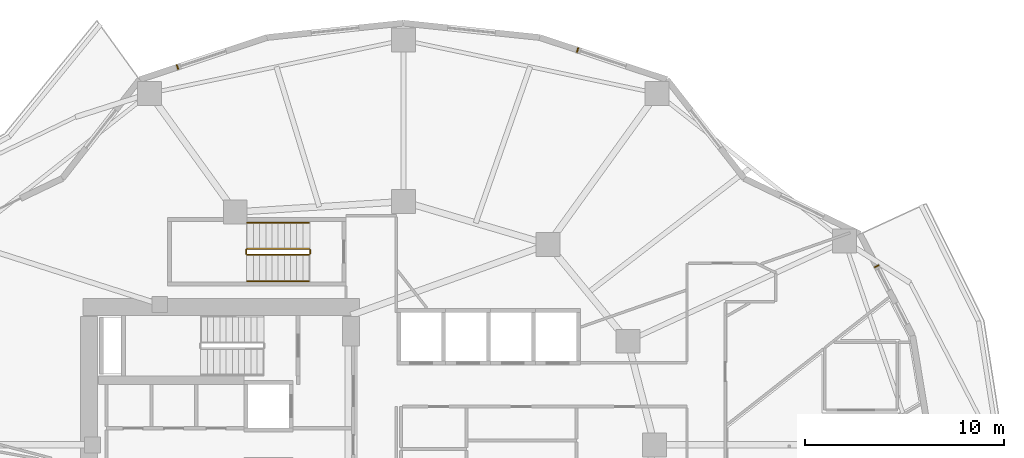
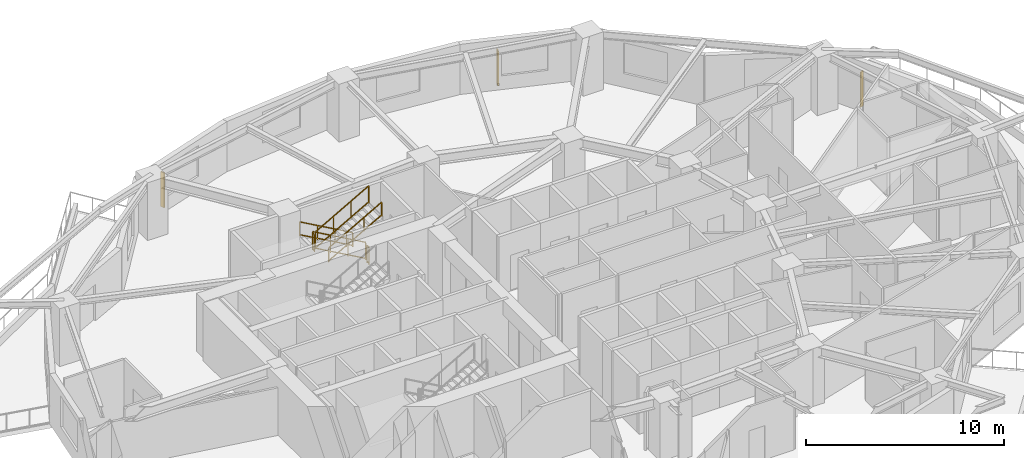
# One storey, part 15 of 15: 6 railings, 3 shading devices.
"""IFC4 building model written with IfcOpenShell, lengths in metres."""

from ifc_helpers import new_model, si_unit, direction, frame, origin, origin_2d, place, context, subcontext, project, spatial, rectangle, extrude, material, type_object, element, save


model = new_model("IFC4")

# Units and contexts
model_context = context("Model", 3, precision=1e-05, world=origin(), true_north=direction((0.0, 1.0)))
body_context = subcontext(model_context, "Body", "Model", "MODEL_VIEW")
ifc_project = project(units=[si_unit("LENGTHUNIT", "METRE"), si_unit("AREAUNIT", "SQUARE_METRE"), si_unit("VOLUMEUNIT", "CUBIC_METRE"), si_unit("PLANEANGLEUNIT", "RADIAN"), si_unit("MASSUNIT", "GRAM", prefix="KILO")], contexts=[model_context])

# Site, building, storey
site_placement = place(None, origin())
site = spatial("IfcSite", under=ifc_project, at=site_placement, CompositionType="ELEMENT")
building_placement = place(site_placement, origin())
building = spatial("IfcBuilding", under=site, at=building_placement, Name="Kolvaren Gate Tower and Convention Centre", CompositionType="ELEMENT")
storey_placement = place(building_placement, frame((0.0, 0.0, 72.699951171875)))
storey = spatial("IfcBuildingStorey", under=building, at=storey_placement, Name="L17", CompositionType="ELEMENT", Elevation=72.699951171875)

# Railings
ifc_material_1 = material(Name="Brushed Stainless Steel Grade 316L", Category="steel")
railing_type_1 = type_object("IfcRailingType", Name="ARCH-RL-GUARD-1150", PredefinedType="GUARDRAIL", material=ifc_material_1)
railing_1_placement = place(storey_placement, frame((25.39990234375, 36.830078125, 0.175048828125)))
element("IfcRailing", 1, at=railing_1_placement, inside=storey, type_object=railing_type_1, Name="L17 ST-T3 stair guard 1", PredefinedType="GUARDRAIL", context=body_context, shape_type="SweptSolid", body=[
    extrude(rectangle(XDim=0.048095703125, YDim=0.048095703125, at=origin_2d()), frame((0.0, 0.0, 1.076171875), z_axis=(-0.870814364268, 0.0, 0.491611984175), x_axis=(0.0, -1.0, 0.0)), (0.0, 0.0, 1.0), 3.559814453125),
    extrude(rectangle(XDim=0.048095703125, YDim=0.048095703125, at=origin_2d()), frame((0.0, 0.0, 0.083984375), z_axis=(-0.870814364268, 0.0, 0.491611984175), x_axis=(0.0, -1.0, 0.0)), (0.0, 0.0, 1.0), 3.559814453125),
    extrude(rectangle(XDim=0.0419921875, YDim=0.0419921875, at=origin_2d()), origin(), (0.0, 0.0, 1.0), 1.050048828125),
    extrude(rectangle(XDim=0.0419921875, YDim=0.0419921875, at=origin_2d()), frame((-3.099853515625, 0.0, 1.75)), (0.0, 0.0, 1.0), 1.050048828125),
    extrude(rectangle(XDim=0.0419921875, YDim=0.0419921875, at=origin_2d()), frame((-1.033203125, 0.0, 0.583251953125)), (0.0, 0.0, 1.0), 1.050048828125),
    extrude(rectangle(XDim=0.0419921875, YDim=0.0419921875, at=origin_2d()), frame((-2.066650390625, 0.0, 1.166748046875)), (0.0, 0.0, 1.0), 1.050048828125),
])
railing_2_placement = place(storey_placement, frame((22.25, 36.780029296875, 1.925048828125)))
element("IfcRailing", 2, at=railing_2_placement, inside=storey, type_object=railing_type_1, Name="L17 ST-T3 stair guard 2", PredefinedType="GUARDRAIL", context=body_context, shape_type="SweptSolid", body=[
    extrude(rectangle(XDim=0.048095703125, YDim=0.048095703125, at=origin_2d()), frame((0.0, 0.0, 1.076171875), z_axis=(0.0, -1.0, 0.0), x_axis=(1.0, 0.0, 0.0)), (0.0, 0.0, 1.0), 0.199951171875),
    extrude(rectangle(XDim=0.048095703125, YDim=0.048095703125, at=origin_2d()), frame((0.0, 0.0, 0.083984375), z_axis=(0.0, -1.0, 0.0), x_axis=(1.0, 0.0, 0.0)), (0.0, 0.0, 1.0), 0.199951171875),
    extrude(rectangle(XDim=0.0419921875, YDim=0.0419921875, at=origin_2d()), origin(), (0.0, 0.0, 1.0), 1.050048828125),
    extrude(rectangle(XDim=0.0419921875, YDim=0.0419921875, at=origin_2d()), frame((0.0, -0.199951171875, 0.0)), (0.0, 0.0, 1.0), 1.050048828125),
])
railing_3_placement = place(storey_placement, frame((22.300048828125, 36.530029296875, 2.10009765625)))
element("IfcRailing", 3, at=railing_3_placement, inside=storey, type_object=railing_type_1, Name="L17 ST-T3 stair guard 3", PredefinedType="GUARDRAIL", context=body_context, shape_type="SweptSolid", body=[
    extrude(rectangle(XDim=0.048095703125, YDim=0.048095703125, at=origin_2d()), frame((0.0, 0.0, 1.076171875), z_axis=(0.870814364268, 0.0, 0.491611984175), x_axis=(0.0, 1.0, 0.0)), (0.0, 0.0, 1.0), 3.559814453125),
    extrude(rectangle(XDim=0.048095703125, YDim=0.048095703125, at=origin_2d()), frame((0.0, 0.0, 0.083984375), z_axis=(0.870814364268, 0.0, 0.491611984175), x_axis=(0.0, 1.0, 0.0)), (0.0, 0.0, 1.0), 3.559814453125),
    extrude(rectangle(XDim=0.0419921875, YDim=0.0419921875, at=origin_2d()), origin(), (0.0, 0.0, 1.0), 1.050048828125),
    extrude(rectangle(XDim=0.0419921875, YDim=0.0419921875, at=origin_2d()), frame((3.099853515625, 0.0, 1.75)), (0.0, 0.0, 1.0), 1.050048828125),
    extrude(rectangle(XDim=0.0419921875, YDim=0.0419921875, at=origin_2d()), frame((1.033203125, 0.0, 0.583251953125)), (0.0, 0.0, 1.0), 1.050048828125),
    extrude(rectangle(XDim=0.0419921875, YDim=0.0419921875, at=origin_2d()), frame((2.066650390625, 0.0, 1.166748046875)), (0.0, 0.0, 1.0), 1.050048828125),
])
railing_4_placement = place(storey_placement, frame((25.449951171875, 36.780029296875, 0.0)))
element("IfcRailing", 4, at=railing_4_placement, inside=storey, type_object=railing_type_1, Name="L17 ST-T3 stair guard 4", PredefinedType="GUARDRAIL", context=body_context, shape_type="SweptSolid", body=[
    extrude(rectangle(XDim=0.048095703125, YDim=0.048095703125, at=origin_2d()), frame((0.0, 0.0, 1.076171875), z_axis=(0.0, -1.0, 0.0), x_axis=(1.0, 0.0, 0.0)), (0.0, 0.0, 1.0), 0.199951171875),
    extrude(rectangle(XDim=0.048095703125, YDim=0.048095703125, at=origin_2d()), frame((0.0, 0.0, 0.083984375), z_axis=(0.0, -1.0, 0.0), x_axis=(1.0, 0.0, 0.0)), (0.0, 0.0, 1.0), 0.199951171875),
    extrude(rectangle(XDim=0.0419921875, YDim=0.0419921875, at=origin_2d()), origin(), (0.0, 0.0, 1.0), 1.050048828125),
    extrude(rectangle(XDim=0.0419921875, YDim=0.0419921875, at=origin_2d()), frame((0.0, -0.199951171875, 0.0)), (0.0, 0.0, 1.0), 1.050048828125),
])
railing_type_2 = type_object("IfcRailingType", Name="ARCH-RL-HANDRAIL-920", PredefinedType="HANDRAIL", material=ifc_material_1)
railing_5_placement = place(storey_placement, frame((25.39990234375, 38.14990234375, 0.175048828125)))
element("IfcRailing", 5, at=railing_5_placement, inside=storey, type_object=railing_type_2, Name="L17 ST-T3 stair handrail 1", PredefinedType="HANDRAIL", context=body_context, shape_type="SweptSolid", body=[
    extrude(rectangle(XDim=0.048095703125, YDim=0.048095703125, at=origin_2d()), frame((0.0, 0.0, 0.8759765625), z_axis=(-0.870814364268, 0.0, 0.491611984175), x_axis=(0.0, -1.0, 0.0)), (0.0, 0.0, 1.0), 3.559814453125),
    extrude(rectangle(XDim=0.048095703125, YDim=0.048095703125, at=origin_2d()), frame((0.0, 0.0, 0.083984375), z_axis=(-0.870814364268, 0.0, 0.491611984175), x_axis=(0.0, -1.0, 0.0)), (0.0, 0.0, 1.0), 3.559814453125),
    extrude(rectangle(XDim=0.0419921875, YDim=0.0419921875, at=origin_2d()), origin(), (0.0, 0.0, 1.0), 0.849853515625),
    extrude(rectangle(XDim=0.0419921875, YDim=0.0419921875, at=origin_2d()), frame((-3.099853515625, 0.0, 1.75)), (0.0, 0.0, 1.0), 0.849853515625),
    extrude(rectangle(XDim=0.0419921875, YDim=0.0419921875, at=origin_2d()), frame((-1.033203125, 0.0, 0.583251953125)), (0.0, 0.0, 1.0), 0.849853515625),
    extrude(rectangle(XDim=0.0419921875, YDim=0.0419921875, at=origin_2d()), frame((-2.066650390625, 0.0, 1.166748046875)), (0.0, 0.0, 1.0), 0.849853515625),
])
railing_6_placement = place(storey_placement, frame((22.300048828125, 35.2099609375, 2.10009765625)))
element("IfcRailing", 6, at=railing_6_placement, inside=storey, type_object=railing_type_2, Name="L17 ST-T3 stair handrail 2", PredefinedType="HANDRAIL", context=body_context, shape_type="SweptSolid", body=[
    extrude(rectangle(XDim=0.048095703125, YDim=0.048095703125, at=origin_2d()), frame((0.0, 0.0, 0.8759765625), z_axis=(0.870814364268, 0.0, 0.491611984175), x_axis=(0.0, 1.0, 0.0)), (0.0, 0.0, 1.0), 3.559814453125),
    extrude(rectangle(XDim=0.048095703125, YDim=0.048095703125, at=origin_2d()), frame((0.0, 0.0, 0.083984375), z_axis=(0.870814364268, 0.0, 0.491611984175), x_axis=(0.0, 1.0, 0.0)), (0.0, 0.0, 1.0), 3.559814453125),
    extrude(rectangle(XDim=0.0419921875, YDim=0.0419921875, at=origin_2d()), origin(), (0.0, 0.0, 1.0), 0.849853515625),
    extrude(rectangle(XDim=0.0419921875, YDim=0.0419921875, at=origin_2d()), frame((3.099853515625, 0.0, 1.75)), (0.0, 0.0, 1.0), 0.849853515625),
    extrude(rectangle(XDim=0.0419921875, YDim=0.0419921875, at=origin_2d()), frame((1.033203125, 0.0, 0.583251953125)), (0.0, 0.0, 1.0), 0.849853515625),
    extrude(rectangle(XDim=0.0419921875, YDim=0.0419921875, at=origin_2d()), frame((2.066650390625, 0.0, 1.166748046875)), (0.0, 0.0, 1.0), 0.849853515625),
])

# Shading devices
ifc_material_2 = material(Name="Kiln-Fired Bogota Terracotta Ceramic Louvre Profile", Category="masonry")
shading_device_type = type_object("IfcShadingDeviceType", Name="ARCH-SHD-FIN-180", PredefinedType="JALOUSIE", material=ifc_material_2)
for number, where, z_axis, x_axis, name in (
    (7, (53.857421875, 35.958740234375, 0.22021484375), (0.0, 0.0, 1.0), (0.45980150925, -0.888021718254, 0.0), "Ceramic Vertical Brise-Soleil Fin FN-L17-01"),
    (8, (38.864990234375, 46.800537109375, 0.22021484375), (0.0, 0.0, 1.0), (0.949241728595, -0.314547517385, 0.0), "Ceramic Vertical Brise-Soleil Fin FN-L17-04"),
    (9, (18.8037109375, 45.9453125, 0.22021484375), (0.0, 0.0, 1.0), (0.949240081615, 0.314552487599, 0.0), "Ceramic Vertical Brise-Soleil Fin FN-L17-07"),
):
    element("IfcShadingDevice", number, at=place(storey_placement, frame(where, z_axis=z_axis, x_axis=x_axis)), inside=storey, type_object=shading_device_type, Name=name, PredefinedType="JALOUSIE", context=body_context, shape_type="SweptSolid", body=[
        extrude(rectangle(XDim=0.06005859375, YDim=0.239990234375, at=origin_2d()), origin(), (0.0, 0.0, 1.0), 2.14990234375),
    ])

save(model, "model.ifc")
